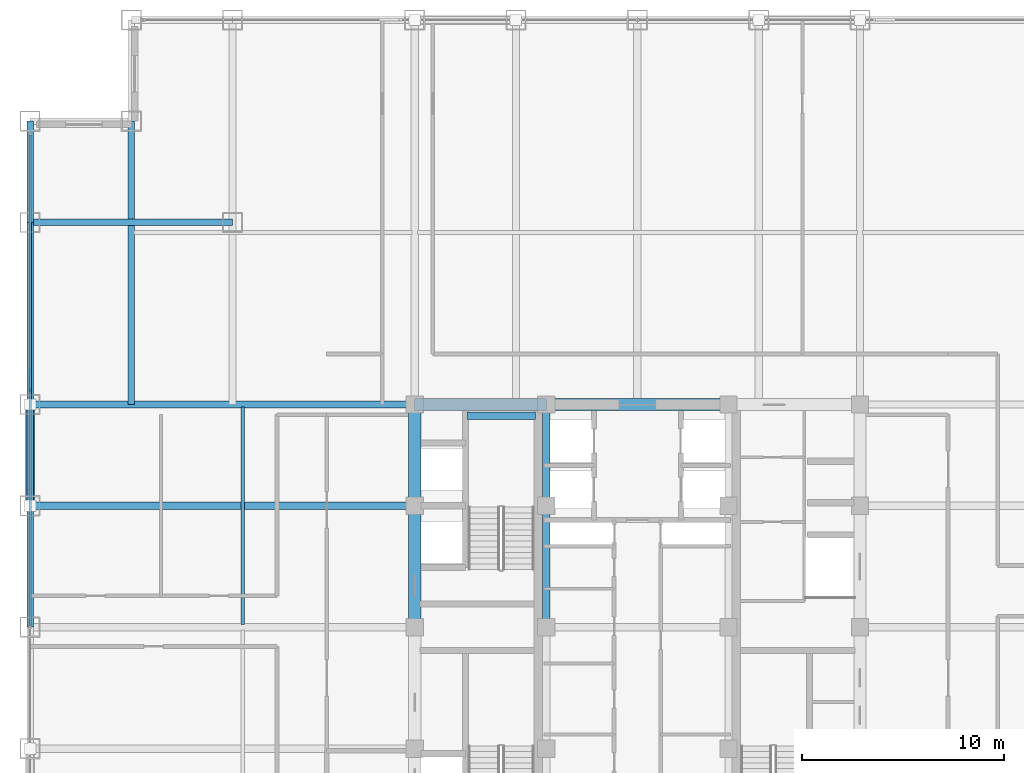
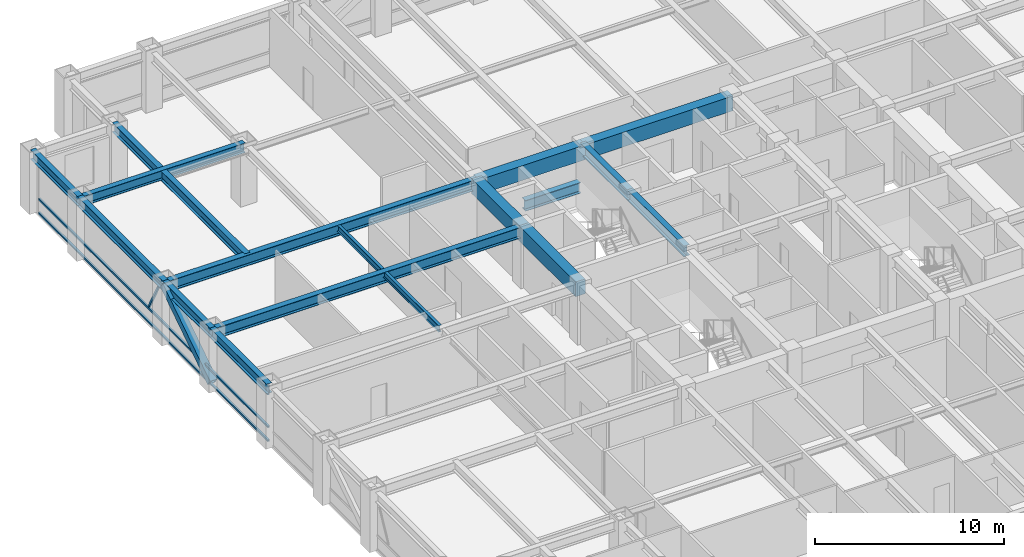
# One storey, part 11 of 24: 16 beams, 5 members, 1 element without a shape of its own.
"""IFC4 building model written with IfcOpenShell, lengths in metres."""

from ifc_helpers import new_model, si_unit, direction, frame, origin, origin_2d, place, context, subcontext, project, spatial, rectangle, hollow_rectangle, i_section, extrude, source, transform, mapped, material, material_profile, profile_set, type_object, element, aggregate, save


model = new_model("IFC4")

# Units and contexts
model_context = context("Model", 3, precision=1e-05, world=origin(), true_north=direction((0.0, 1.0)))
body_context = subcontext(model_context, "Body", "Model", "MODEL_VIEW")
ifc_project = project(units=[si_unit("LENGTHUNIT", "METRE"), si_unit("AREAUNIT", "SQUARE_METRE"), si_unit("VOLUMEUNIT", "CUBIC_METRE"), si_unit("PLANEANGLEUNIT", "RADIAN"), si_unit("MASSUNIT", "GRAM", prefix="KILO")], contexts=[model_context])

# Site, building, storey
site_placement = place(None, origin())
site = spatial("IfcSite", under=ifc_project, at=site_placement, CompositionType="ELEMENT")
building_placement = place(site_placement, origin())
building = spatial("IfcBuilding", under=site, at=building_placement, Name="Khorayat Bourse Tower", CompositionType="ELEMENT")
storey_placement = place(building_placement, frame((0.0, 0.0, 211.10009765625)))
storey = spatial("IfcBuildingStorey", under=building, at=storey_placement, Name="L49", CompositionType="ELEMENT", Elevation=211.10009765625)

# Beams
ifc_material_1 = material(Name="Steel ASTM A992 Grade 50", Category="steel")
ifc_material_profile_1 = material_profile(ifc_material_1, i_section(OverallWidth=0.35498046875, OverallDepth=0.695068359375, WebThickness=0.015380859375, FlangeThickness=0.02490234375, FilletRadius=0.01806640625, at=origin_2d()), Name="W690X217")
ifc_profile_set_1 = profile_set([ifc_material_profile_1], Name="Steel ASTM A992 Grade 50")
beam_type_1 = type_object("IfcBeamType", Name="BM-GIRD-690", PredefinedType="BEAM", material=ifc_profile_set_1)
shared_shape_1 = source(origin(), body_context, "Body", "SweptSolid", [
    extrude(i_section(OverallWidth=0.35498046875, OverallDepth=0.695068359375, WebThickness=0.015380859375, FlangeThickness=0.02490234375, FilletRadius=0.01806640625, at=origin_2d()), origin(), (0.0, 0.0, 1.0), 5.0),
])
beam_1_placement = place(storey_placement, frame((-4.5, 6.0, 3.432373046875), z_axis=(0.0, 1.0, 0.0), x_axis=(-1.0, 0.0, 0.0)))
element("IfcBeam", 1, at=beam_1_placement, inside=storey, type_object=beam_type_1, Name="L49 BM-GIRD-690 BM-L49-CRX-08", PredefinedType="BEAM", context=body_context, shape_type="MappedRepresentation", body=[
    mapped(shared_shape_1, transform((0.0, 0.0, 0.0), scale=1.0)),
])
shared_shape_2 = source(origin(), body_context, "Body", "SweptSolid", [
    extrude(i_section(OverallWidth=0.35498046875, OverallDepth=0.695068359375, WebThickness=0.015380859375, FlangeThickness=0.02490234375, FilletRadius=0.01806640625, at=origin_2d()), origin(), (0.0, 0.0, 1.0), 6.0),
])
beam_2_placement = place(storey_placement, frame((-4.5, 0.0, 3.432373046875), z_axis=(0.0, 1.0, 0.0), x_axis=(-1.0, 0.0, 0.0)))
element("IfcBeam", 2, at=beam_2_placement, inside=storey, type_object=beam_type_1, Name="L49 BM-GIRD-690 BM-L49-CRX-07", PredefinedType="BEAM", context=body_context, shape_type="MappedRepresentation", body=[
    mapped(shared_shape_2, transform((0.0, 0.0, 0.0), scale=1.0)),
])
shared_shape_3 = source(origin(), body_context, "Body", "SweptSolid", [
    extrude(i_section(OverallWidth=0.35498046875, OverallDepth=0.695068359375, WebThickness=0.015380859375, FlangeThickness=0.02490234375, FilletRadius=0.01806640625, at=origin_2d()), origin(), (0.0, 0.0, 1.0), 3.39990234375),
])
beam_3_placement = place(storey_placement, frame((-8.419921875, 10.449951171875, 1.452392578125), z_axis=(1.0, 0.0, 0.0), x_axis=(0.0, 1.0, 0.0)))
element("IfcBeam", 3, at=beam_3_placement, inside=storey, type_object=beam_type_1, Name="L49 BM-GIRD-690 BM-L49-ST2L", PredefinedType="BEAM", context=body_context, shape_type="MappedRepresentation", body=[
    mapped(shared_shape_3, transform((0.0, 0.0, 0.0), scale=1.0)),
])
ifc_material_profile_2 = material_profile(ifc_material_1, i_section(OverallWidth=0.324951171875, OverallDepth=0.615966796875, WebThickness=0.013916015625, FlangeThickness=0.021484375, FilletRadius=0.01611328125, at=origin_2d()), Name="W610X174")
ifc_profile_set_2 = profile_set([ifc_material_profile_2], Name="Steel ASTM A992 Grade 50")
beam_type_2 = type_object("IfcBeamType", Name="BM-GIRD-610", PredefinedType="BEAM", material=ifc_profile_set_2)
shared_shape_4 = source(origin(), body_context, "Body", "SweptSolid", [
    extrude(i_section(OverallWidth=0.324951171875, OverallDepth=0.615966796875, WebThickness=0.013916015625, FlangeThickness=0.021484375, FilletRadius=0.01611328125, at=origin_2d()), origin(), (0.0, 0.0, 1.0), 10.0),
])
beam_4_placement = place(storey_placement, frame((-30.0, 20.0, 3.471923828125), z_axis=(1.0, 0.0, 0.0), x_axis=(0.0, 1.0, 0.0)))
element("IfcBeam", 4, at=beam_4_placement, inside=storey, type_object=beam_type_2, Name="L49 BM-GIRD-610 BM-L49-CNRX-095", PredefinedType="BEAM", context=body_context, shape_type="MappedRepresentation", body=[
    mapped(shared_shape_4, transform((0.0, 0.0, 0.0), scale=1.0)),
])
ifc_material_profile_3 = material_profile(ifc_material_1, i_section(OverallWidth=0.180908203125, OverallDepth=0.4169921875, WebThickness=0.010986328125, FlangeThickness=0.018310546875, FilletRadius=0.011962890625, at=origin_2d()), Name="W410X85")
ifc_profile_set_3 = profile_set([ifc_material_profile_3], Name="Steel ASTM A992 Grade 50")
beam_type_3 = type_object("IfcBeamType", Name="BM-JOIST-410", PredefinedType="JOIST", material=ifc_profile_set_3)
shared_shape_5 = source(origin(), body_context, "Body", "SweptSolid", [
    extrude(i_section(OverallWidth=0.180908203125, OverallDepth=0.4169921875, WebThickness=0.010986328125, FlangeThickness=0.018310546875, FilletRadius=0.011962890625, at=origin_2d()), origin(), (0.0, 0.0, 1.0), 10.740234375),
])
beam_5_placement = place(storey_placement, frame((-19.5, 0.1298828125, 3.5712890625), z_axis=(0.0, 1.0, 0.0), x_axis=(-1.0, 0.0, 0.0)))
element("IfcBeam", 5, at=beam_5_placement, inside=storey, type_object=beam_type_3, Name="L49 BM-JOIST-410 BM-L49-JSTY-103", PredefinedType="JOIST", context=body_context, shape_type="MappedRepresentation", body=[
    mapped(shared_shape_5, transform((0.0, 0.0, 0.0), scale=1.0)),
])
ifc_material_profile_4 = material_profile(ifc_material_1, i_section(OverallWidth=0.324951171875, OverallDepth=0.615966796875, WebThickness=0.013916015625, FlangeThickness=0.021484375, FilletRadius=0.01611328125, at=origin_2d()), Name="W610X174")
ifc_profile_set_4 = profile_set([ifc_material_profile_4], Name="Steel ASTM A992 Grade 50")
beam_type_4 = type_object("IfcBeamType", Name="BM-SPAN-610", PredefinedType="SPANDREL", material=ifc_profile_set_4)
shared_shape_6 = source(origin(), body_context, "Body", "SweptSolid", [
    extrude(i_section(OverallWidth=0.324951171875, OverallDepth=0.615966796875, WebThickness=0.013916015625, FlangeThickness=0.021484375, FilletRadius=0.01611328125, at=origin_2d()), origin(), (0.0, 0.0, 1.0), 9.0),
])
beam_6_placement = place(storey_placement, frame((-30.0, 11.0, 3.471923828125), z_axis=(0.0, 1.0, 0.0), x_axis=(-1.0, 0.0, 0.0)))
element("IfcBeam", 6, at=beam_6_placement, inside=storey, type_object=beam_type_4, Name="L49 BM-SPAN-610 BM-L49-SPN-055", PredefinedType="SPANDREL", context=body_context, shape_type="MappedRepresentation", body=[
    mapped(shared_shape_6, transform((0.0, 0.0, 0.0), scale=1.0)),
])
shared_shape_7 = source(origin(), body_context, "Body", "SweptSolid", [
    extrude(i_section(OverallWidth=0.324951171875, OverallDepth=0.615966796875, WebThickness=0.013916015625, FlangeThickness=0.021484375, FilletRadius=0.01611328125, at=origin_2d()), origin(), (0.0, 0.0, 1.0), 5.0),
])
for number, where, z_axis, x_axis, name in (
    (7, (-30.0, 20.0, 3.471923828125), (0.0, 1.0, 0.0), (-1.0, 0.0, 0.0), "L49 BM-SPAN-610 BM-L49-SPN-054"),
    (8, (-30.0, 6.0, 3.471923828125), (0.0, 1.0, 0.0), (-1.0, 0.0, 0.0), "L49 BM-SPAN-610 BM-L49-SPN-056"),
):
    element("IfcBeam", number, at=place(storey_placement, frame(where, z_axis=z_axis, x_axis=x_axis)), inside=storey, type_object=beam_type_4, Name=name, PredefinedType="SPANDREL", context=body_context, shape_type="MappedRepresentation", body=[
        mapped(shared_shape_7, transform((0.0, 0.0, 0.0), scale=1.0)),
    ])
shared_shape_8 = source(origin(), body_context, "Body", "SweptSolid", [
    extrude(i_section(OverallWidth=0.324951171875, OverallDepth=0.615966796875, WebThickness=0.013916015625, FlangeThickness=0.021484375, FilletRadius=0.01611328125, at=origin_2d()), origin(), (0.0, 0.0, 1.0), 6.0),
])
beam_7_placement = place(storey_placement, frame((-30.0, 0.0, 3.471923828125), z_axis=(0.0, 1.0, 0.0), x_axis=(-1.0, 0.0, 0.0)))
element("IfcBeam", 9, at=beam_7_placement, inside=storey, type_object=beam_type_4, Name="L49 BM-SPAN-610 BM-L49-SPN-057", PredefinedType="SPANDREL", context=body_context, shape_type="MappedRepresentation", body=[
    mapped(shared_shape_8, transform((0.0, 0.0, 0.0), scale=1.0)),
])
ifc_material_2 = material(Name="Concrete C60/75", Category="concrete")
ifc_material_profile_5 = material_profile(ifc_material_2, rectangle(XDim=0.60009765625, YDim=0.949951171875, at=origin_2d()), Name="RC 600x950")
ifc_profile_set_5 = profile_set([ifc_material_profile_5], Name="Concrete C60/75")
beam_type_5 = type_object("IfcBeamType", Name="BM-COUP-950", PredefinedType="BEAM", material=ifc_profile_set_5)
shared_shape_9 = source(origin(), body_context, "Body", "SweptSolid", [
    extrude(rectangle(XDim=0.60009765625, YDim=0.949951171875, at=origin_2d()), origin(), (0.0, 0.0, 1.0), 5.0),
])
beam_8_placement = place(storey_placement, frame((-11.0, 6.0, 3.304931640625), z_axis=(0.0, 1.0, 0.0), x_axis=(-1.0, 0.0, 0.0)))
element("IfcBeam", 10, at=beam_8_placement, inside=storey, type_object=beam_type_5, Name="L49 BM-COUP-950 BM-L49-CRX-04", PredefinedType="BEAM", context=body_context, shape_type="MappedRepresentation", body=[
    mapped(shared_shape_9, transform((0.0, 0.0, 0.0), scale=1.0)),
])
shared_shape_10 = source(origin(), body_context, "Body", "SweptSolid", [
    extrude(rectangle(XDim=0.60009765625, YDim=0.949951171875, at=origin_2d()), origin(), (0.0, 0.0, 1.0), 6.0),
])
beam_9_placement = place(storey_placement, frame((-11.0, 0.0, 3.304931640625), z_axis=(0.0, 1.0, 0.0), x_axis=(-1.0, 0.0, 0.0)))
element("IfcBeam", 11, at=beam_9_placement, inside=storey, type_object=beam_type_5, Name="L49 BM-COUP-950 BM-L49-CRX-03", PredefinedType="BEAM", context=body_context, shape_type="MappedRepresentation", body=[
    mapped(shared_shape_10, transform((0.0, 0.0, 0.0), scale=1.0)),
])
shared_shape_11 = source(origin(), body_context, "Body", "SweptSolid", [
    extrude(rectangle(XDim=0.60009765625, YDim=0.949951171875, at=origin_2d()), origin(), (0.0, 0.0, 1.0), 6.5),
])
beam_10_placement = place(storey_placement, frame((-11.0, 11.0, 3.304931640625), z_axis=(1.0, 0.0, 0.0), x_axis=(0.0, 1.0, 0.0)))
element("IfcBeam", 12, at=beam_10_placement, inside=storey, type_object=beam_type_5, Name="L49 BM-COUP-950 BM-L49-CRY-20", PredefinedType="BEAM", context=body_context, shape_type="MappedRepresentation", body=[
    mapped(shared_shape_11, transform((0.0, 0.0, 0.0), scale=1.0)),
])
shared_shape_12 = source(origin(), body_context, "Body", "SweptSolid", [
    extrude(rectangle(XDim=0.60009765625, YDim=0.949951171875, at=origin_2d()), origin(), (0.0, 0.0, 1.0), 9.0),
])
beam_11_placement = place(storey_placement, frame((-4.5, 11.0, 3.304931640625), z_axis=(1.0, 0.0, 0.0), x_axis=(0.0, 1.0, 0.0)))
element("IfcBeam", 13, at=beam_11_placement, inside=storey, type_object=beam_type_5, Name="L49 BM-COUP-950 BM-L49-CRY-21", PredefinedType="BEAM", context=body_context, shape_type="MappedRepresentation", body=[
    mapped(shared_shape_12, transform((0.0, 0.0, 0.0), scale=1.0)),
])
shared_shape_13 = source(origin(), body_context, "Body", "SweptSolid", [
    extrude(i_section(OverallWidth=0.35498046875, OverallDepth=0.695068359375, WebThickness=0.015380859375, FlangeThickness=0.02490234375, FilletRadius=0.01806640625, at=origin_2d()), origin(), (0.0, 0.0, 1.0), 19.0),
])
for number, where, z_axis, x_axis, name in (
    (14, (-30.0, 6.0, 3.432373046875), (1.0, 0.0, 0.0), (0.0, 1.0, 0.0), "L49 BM-GIRD-690 BM-L49-RADX-081"),
    (15, (-30.0, 11.0, 3.432373046875), (1.0, 0.0, 0.0), (0.0, 1.0, 0.0), "L49 BM-GIRD-690 BM-L49-RADX-083"),
):
    element("IfcBeam", number, at=place(storey_placement, frame(where, z_axis=z_axis, x_axis=x_axis)), inside=storey, type_object=beam_type_1, Name=name, PredefinedType="BEAM", context=body_context, shape_type="MappedRepresentation", body=[
        mapped(shared_shape_13, transform((0.0, 0.0, 0.0), scale=1.0)),
    ])
shared_shape_14 = source(origin(), body_context, "Body", "SweptSolid", [
    extrude(i_section(OverallWidth=0.324951171875, OverallDepth=0.615966796875, WebThickness=0.013916015625, FlangeThickness=0.021484375, FilletRadius=0.01611328125, at=origin_2d()), origin(), (0.0, 0.0, 1.0), 14.0),
])
beam_12_placement = place(storey_placement, frame((-25.0, 11.0, 3.471923828125), z_axis=(0.0, 1.0, 0.0), x_axis=(-1.0, 0.0, 0.0)))
element("IfcBeam", 16, at=beam_12_placement, inside=storey, type_object=beam_type_2, Name="L49 BM-GIRD-610 BM-L49-CNRY-089", PredefinedType="BEAM", context=body_context, shape_type="MappedRepresentation", body=[
    mapped(shared_shape_14, transform((0.0, 0.0, 0.0), scale=1.0)),
])

# Member
ifc_material_3 = material(Name="Steel EN 10025-4 S460M", Category="steel")
ifc_material_profile_6 = material_profile(ifc_material_3, hollow_rectangle(XDim=0.449951171875, YDim=0.449951171875, WallThickness=0.02490234375, at=origin_2d()), Name="HSS 450x450x25")
ifc_profile_set_6 = profile_set([ifc_material_profile_6], Name="Steel EN 10025-4 S460M")
member_type_1 = type_object("IfcMemberType", Name="MBR-TUBE-450", PredefinedType="BRACE", material=ifc_profile_set_6)
shared_shape_15 = source(origin(), body_context, "Body", "SweptSolid", [
    extrude(hollow_rectangle(XDim=0.449951171875, YDim=0.449951171875, WallThickness=0.02490234375, at=origin_2d()), origin(), (0.0, 0.0, 1.0), 5.979736328125),
])
member_1_placement = place(storey_placement, frame((-30.0, 6.0, 0.25), z_axis=(0.0, 0.836160261256, 0.548485202623), x_axis=(-1.0, 0.0, 0.0)))
element("IfcMember", 17, at=member_1_placement, inside=storey, type_object=member_type_1, Name="L49 Perimeter Tube Brace 06", PredefinedType="BRACE", context=body_context, shape_type="MappedRepresentation", body=[
    mapped(shared_shape_15, transform((0.0, 0.0, 0.0), scale=1.0)),
])

# Curtain wall, members
ifc_material_4 = material(Name="Aluminium EN AW-6063 T6", Category="aluminium")
curtain_wall_type = type_object("IfcCurtainWallType", Name="CW-SYS-03", PredefinedType="NOTDEFINED", material=ifc_material_4)
curtain_wall_placement = place(storey_placement, origin())
curtain_wall = element("IfcCurtainWall", 18, at=curtain_wall_placement, inside=storey, type_object=curtain_wall_type, Name="L49 Curtain Wall CW-L49-W1", PredefinedType="NOTDEFINED")
ifc_material_profile_7 = material_profile(ifc_material_4, hollow_rectangle(XDim=0.1201171875, YDim=0.1201171875, WallThickness=0.0048828125, at=origin_2d()), Name="ALU 120x120x5")
ifc_profile_set_7 = profile_set([ifc_material_profile_7], Name="Aluminium EN AW-6063 T6")
member_type_2 = type_object("IfcMemberType", Name="CWM-DIAG-120", PredefinedType="MULLION", material=ifc_profile_set_7)
shared_shape_16 = source(origin(), body_context, "Body", "SweptSolid", [
    extrude(hollow_rectangle(XDim=0.1201171875, YDim=0.1201171875, WallThickness=0.0048828125, at=origin_2d()), origin(), (0.0, 0.0, 1.0), 2.079345703125),
])
member_2_placement = place(storey_placement, frame((-30.0, 12.67919921875, 1.08984375), z_axis=(0.0, -0.465760949701, 0.884910581773), x_axis=(1.0, 0.0, 0.0)))
member_2 = element("IfcMember", 19, at=member_2_placement, type_object=member_type_2, Name="CW-L49-W1 Faceted Diagonal Mullion 2", PredefinedType="MULLION", context=body_context, shape_type="MappedRepresentation", body=[
    mapped(shared_shape_16, transform((0.0, 0.0, 0.0), scale=1.0)),
])
ifc_material_profile_8 = material_profile(ifc_material_4, hollow_rectangle(XDim=0.1201171875, YDim=0.1201171875, WallThickness=0.0048828125, at=origin_2d()), Name="ALU 120x120x5")
ifc_profile_set_8 = profile_set([ifc_material_profile_8], Name="Aluminium EN AW-6063 T6")
member_type_3 = type_object("IfcMemberType", Name="CWT-HORZ-120", PredefinedType="USERDEFINED", material=ifc_profile_set_8)
shared_shape_17 = source(origin(), body_context, "Body", "SweptSolid", [
    extrude(hollow_rectangle(XDim=0.1201171875, YDim=0.1201171875, WallThickness=0.0048828125, at=origin_2d()), origin(), (0.0, 0.0, 1.0), 24.27001953125),
])
member_3_placement = place(storey_placement, frame((-30.0, 0.06005859375, 0.059814453125), z_axis=(0.0, 1.0, 0.0), x_axis=(-1.0, 0.0, 0.0)))
member_3 = element("IfcMember", 20, at=member_3_placement, type_object=member_type_3, Name="CW-L49-W1 Horizontal Transom 2-1", ObjectType="TRANSOM", PredefinedType="USERDEFINED", context=body_context, shape_type="MappedRepresentation", body=[
    mapped(shared_shape_17, transform((0.0, 0.0, 0.0), scale=1.0)),
])
member_4_placement = place(storey_placement, frame((-30.0, 0.06005859375, 0.949951171875), z_axis=(0.0, 1.0, 0.0), x_axis=(-1.0, 0.0, 0.0)))
member_4 = element("IfcMember", 21, at=member_4_placement, type_object=member_type_3, Name="CW-L49-W1 Horizontal Transom 2-2", ObjectType="TRANSOM", PredefinedType="USERDEFINED", context=body_context, shape_type="MappedRepresentation", body=[
    mapped(shared_shape_17, transform((0.0, 0.0, 0.0), scale=1.0)),
])
member_5_placement = place(storey_placement, frame((-30.0, 0.06005859375, 3.06982421875), z_axis=(0.0, 1.0, 0.0), x_axis=(-1.0, 0.0, 0.0)))
member_5 = element("IfcMember", 22, at=member_5_placement, type_object=member_type_3, Name="CW-L49-W1 Horizontal Transom 2-3", ObjectType="TRANSOM", PredefinedType="USERDEFINED", context=body_context, shape_type="MappedRepresentation", body=[
    mapped(shared_shape_17, transform((0.0, 0.0, 0.0), scale=1.0)),
])
aggregate(curtain_wall, [member_3, member_4, member_5, member_2])

save(model, "model.ifc")
